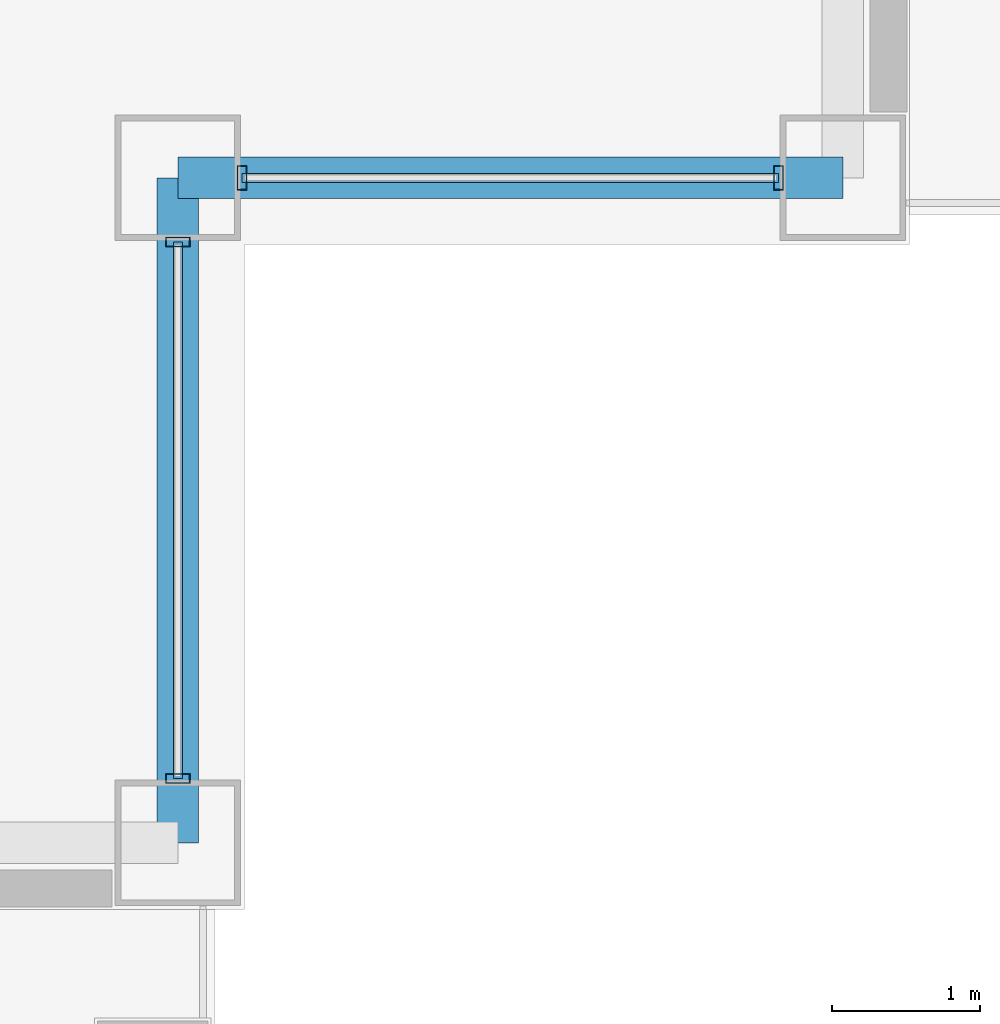
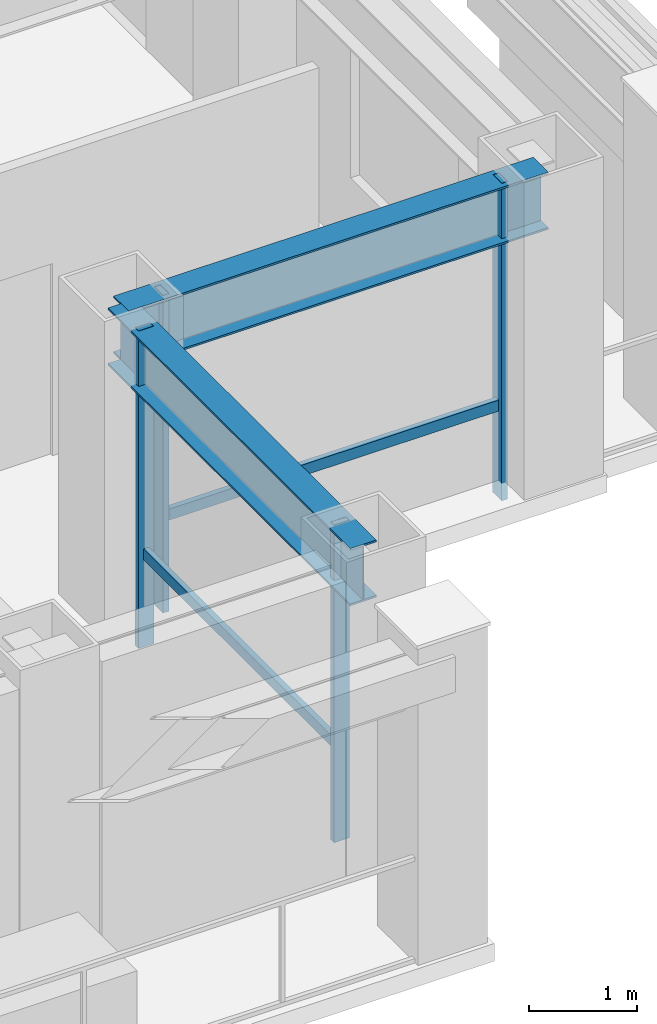
# One storey, part 13 of 31: 6 members, 2 beams, 2 elements without a shape of their own.
"""IFC4 building model written with IfcOpenShell, lengths in metres."""

from ifc_helpers import new_model, si_unit, direction, frame, origin, origin_2d, place, context, subcontext, project, spatial, hollow_rectangle, i_section, extrude, material, layer, layer_set, material_profile, profile_set, type_object, element, aggregate, save


model = new_model("IFC4")

# Units and contexts
model_context = context("Model", 3, precision=1e-05, world=origin(), true_north=direction((0.0, 1.0)))
body_context = subcontext(model_context, "Body", "Model", "MODEL_VIEW")
ifc_project = project(units=[si_unit("LENGTHUNIT", "METRE"), si_unit("AREAUNIT", "SQUARE_METRE"), si_unit("VOLUMEUNIT", "CUBIC_METRE"), si_unit("PLANEANGLEUNIT", "RADIAN"), si_unit("MASSUNIT", "GRAM", prefix="KILO")], contexts=[model_context])

# Site, building, storey
site_placement = place(None, origin())
site = spatial("IfcSite", under=ifc_project, at=site_placement, CompositionType="ELEMENT")
building_placement = place(site_placement, origin())
building = spatial("IfcBuilding", under=site, at=building_placement, Name="Brelmoor Portico Tower", CompositionType="ELEMENT")
storey_placement = place(building_placement, frame((0.0, 0.0, 113.39990234375)))
storey = spatial("IfcBuildingStorey", under=building, at=storey_placement, Name="L29", CompositionType="ELEMENT", Elevation=113.39990234375)

# Beams
ifc_material_1 = material(Name="Steel Q355B", Category="steel")
ifc_material_profile_1 = material_profile(ifc_material_1, i_section(OverallWidth=0.280029296875, OverallDepth=0.64990234375, WebThickness=0.012939453125, FlangeThickness=0.02197265625, at=origin_2d()), Name="HN 650x280x13x22")
ifc_profile_set_1 = profile_set([ifc_material_profile_1], Name="Steel Q355B")
beam_type = type_object("IfcBeamType", Name="BM-SP-650", PredefinedType="SPANDREL", material=ifc_profile_set_1)
for number, where, z_axis, x_axis, name in (
    (1, (18.050048828125, -15.050048828125, 3.0751953125), (1.0, 0.0, 0.0), (0.0, 1.0, 0.0), "L29 Perimeter Spandrel Beam SP-07"),
    (2, (18.050048828125, -19.550048828125, 3.0751953125), (0.0, 1.0, 0.0), (-1.0, 0.0, 0.0), "L29 Perimeter Spandrel Beam SP-20"),
):
    element("IfcBeam", number, at=place(storey_placement, frame(where, z_axis=z_axis, x_axis=x_axis)), inside=storey, type_object=beam_type, Name=name, PredefinedType="SPANDREL", context=body_context, shape_type="SweptSolid", body=[
        extrude(i_section(OverallWidth=0.280029296875, OverallDepth=0.64990234375, WebThickness=0.012939453125, FlangeThickness=0.02197265625, at=origin_2d()), origin(), (0.0, 0.0, 1.0), 4.5),
    ])

# Curtain wall, members
ifc_material_2 = material(Name="Anodised Aluminium Alloy 6063-T6", Category="aluminium")
ifc_layer = layer(ifc_material_2, 0.179931640625)
ifc_layer_set = layer_set([ifc_layer], Name="Anodised Aluminium Alloy 6063-T6")
curtain_wall_type = type_object("IfcCurtainWallType", Name="CW-NOTCH-CHAMFER", PredefinedType="NOTDEFINED", material=ifc_layer_set)
curtain_wall_1_placement = place(storey_placement, origin())
curtain_wall_1 = element("IfcCurtainWall", 3, at=curtain_wall_1_placement, inside=storey, type_object=curtain_wall_type, Name="L29 Curtain Wall CWN-L29-SEH", PredefinedType="NOTDEFINED")
ifc_material_profile_2 = material_profile(ifc_material_2, hollow_rectangle(XDim=0.06494140625, YDim=0.1650390625, WallThickness=0.00390625, at=origin_2d()), Name="ALU MULLION 65x165")
ifc_profile_set_2 = profile_set([ifc_material_profile_2], Name="Anodised Aluminium Alloy 6063-T6")
member_type_1 = type_object("IfcMemberType", Name="MB-CW-MULL-165", PredefinedType="MULLION", material=ifc_profile_set_2)
member_1_placement = place(storey_placement, frame((18.485107421875, -15.050048828125, -0.199951171875), z_axis=(0.0, 0.0, 1.0), x_axis=(1.0, 0.0, 0.0)))
member_1 = element("IfcMember", 4, at=member_1_placement, type_object=member_type_1, Name="CWN-L29-SEH Mullion 00", PredefinedType="MULLION", context=body_context, shape_type="SweptSolid", body=[
    extrude(hollow_rectangle(XDim=0.06494140625, YDim=0.1650390625, WallThickness=0.00390625, at=origin_2d()), origin(), (0.0, 0.0, 1.0), 3.60009765625),
])
member_2_placement = place(storey_placement, frame((22.114990234375, -15.050048828125, -0.199951171875), z_axis=(0.0, 0.0, 1.0), x_axis=(1.0, 0.0, 0.0)))
member_2 = element("IfcMember", 5, at=member_2_placement, type_object=member_type_1, Name="CWN-L29-SEH Mullion 01", PredefinedType="MULLION", context=body_context, shape_type="SweptSolid", body=[
    extrude(hollow_rectangle(XDim=0.06494140625, YDim=0.1650390625, WallThickness=0.00390625, at=origin_2d()), origin(), (0.0, 0.0, 1.0), 3.60009765625),
])

curtain_wall_2_placement = place(storey_placement, origin())
curtain_wall_2 = element("IfcCurtainWall", 6, at=curtain_wall_2_placement, inside=storey, type_object=curtain_wall_type, Name="L29 Curtain Wall CWN-L29-SEV", PredefinedType="NOTDEFINED")
member_3_placement = place(storey_placement, frame((18.050048828125, -19.114990234375, -0.199951171875), z_axis=(0.0, 0.0, 1.0), x_axis=(0.0, 1.0, 0.0)))
member_3 = element("IfcMember", 7, at=member_3_placement, type_object=member_type_1, Name="CWN-L29-SEV Mullion 00", PredefinedType="MULLION", context=body_context, shape_type="SweptSolid", body=[
    extrude(hollow_rectangle(XDim=0.06494140625, YDim=0.1650390625, WallThickness=0.00390625, at=origin_2d()), origin(), (0.0, 0.0, 1.0), 3.60009765625),
])
member_4_placement = place(storey_placement, frame((18.050048828125, -15.485107421875, -0.199951171875), z_axis=(0.0, 0.0, 1.0), x_axis=(0.0, 1.0, 0.0)))
member_4 = element("IfcMember", 8, at=member_4_placement, type_object=member_type_1, Name="CWN-L29-SEV Mullion 01", PredefinedType="MULLION", context=body_context, shape_type="SweptSolid", body=[
    extrude(hollow_rectangle(XDim=0.06494140625, YDim=0.1650390625, WallThickness=0.00390625, at=origin_2d()), origin(), (0.0, 0.0, 1.0), 3.60009765625),
])

# Member
ifc_material_profile_3 = material_profile(ifc_material_2, hollow_rectangle(XDim=0.06005859375, YDim=0.125, WallThickness=0.00341796875, at=origin_2d()), Name="ALU TRANSOM 60x125")
ifc_profile_set_3 = profile_set([ifc_material_profile_3], Name="Anodised Aluminium Alloy 6063-T6")
member_type_2 = type_object("IfcMemberType", Name="MB-CW-TRAN-125", PredefinedType="USERDEFINED", material=ifc_profile_set_3)
member_5_placement = place(storey_placement, frame((18.485107421875, -15.050048828125, 0.85009765625), z_axis=(1.0, 0.0, 0.0), x_axis=(0.0, 1.0, 0.0)))
member_5 = element("IfcMember", 9, at=member_5_placement, type_object=member_type_2, Name="CWN-L29-SEH Transom 1-00", ObjectType="TRANSOM", PredefinedType="USERDEFINED", context=body_context, shape_type="SweptSolid", body=[
    extrude(hollow_rectangle(XDim=0.06005859375, YDim=0.125, WallThickness=0.00341796875, at=origin_2d()), origin(), (0.0, 0.0, 1.0), 3.6298828125),
])

aggregate(curtain_wall_1, [member_1, member_2, member_5])

member_6_placement = place(storey_placement, frame((18.050048828125, -19.114990234375, 0.85009765625), z_axis=(0.0, 1.0, 0.0), x_axis=(-1.0, 0.0, 0.0)))
member_6 = element("IfcMember", 10, at=member_6_placement, type_object=member_type_2, Name="CWN-L29-SEV Transom 1-00", ObjectType="TRANSOM", PredefinedType="USERDEFINED", context=body_context, shape_type="SweptSolid", body=[
    extrude(hollow_rectangle(XDim=0.06005859375, YDim=0.125, WallThickness=0.00341796875, at=origin_2d()), origin(), (0.0, 0.0, 1.0), 3.6298828125),
])

aggregate(curtain_wall_2, [member_3, member_4, member_6])

save(model, "model.ifc")
